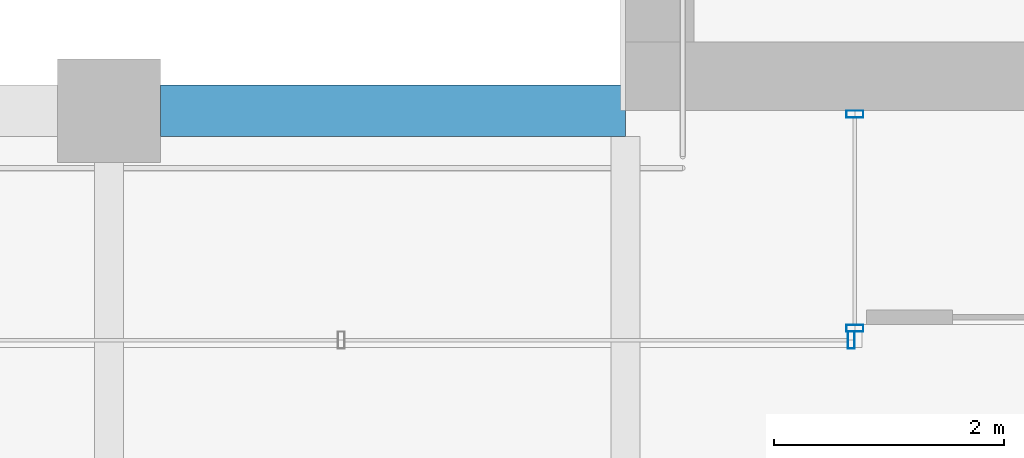
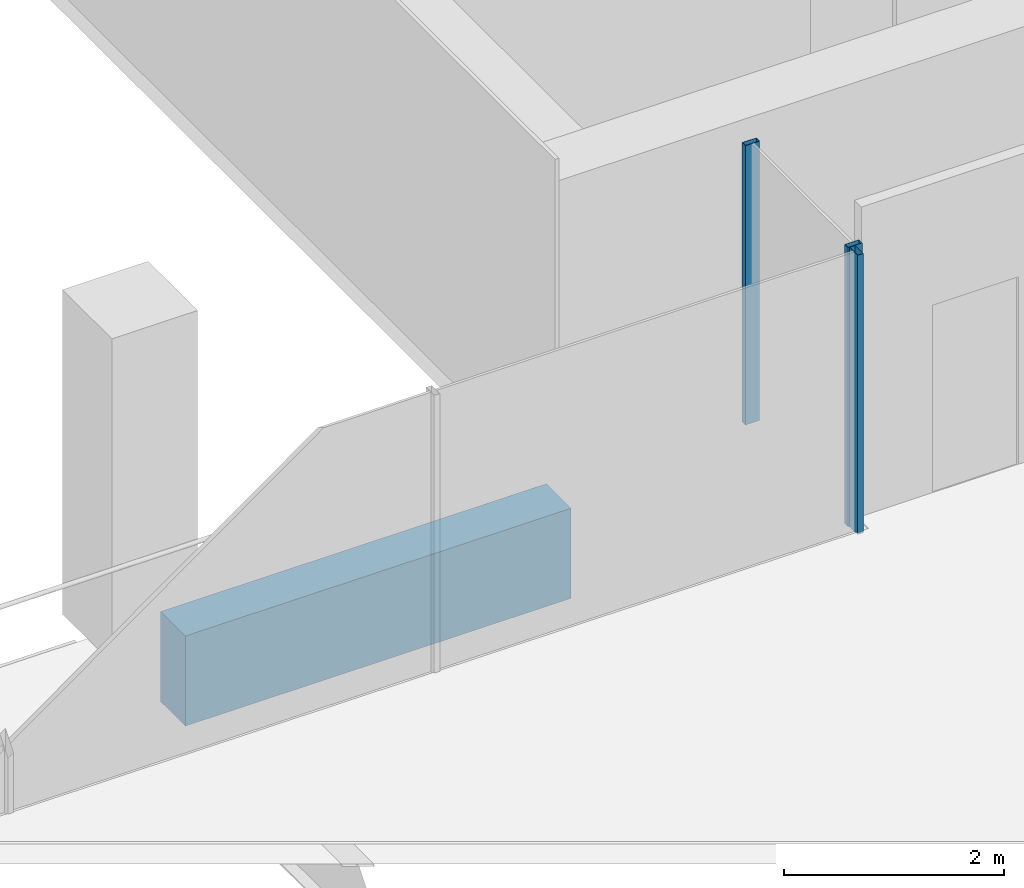
# One storey, part 6 of 40: 3 members, 1 beam, 2 elements without a shape of their own.
"""IFC4 building model written with IfcOpenShell, lengths in metres."""

from ifc_helpers import new_model, si_unit, direction, frame, origin, origin_2d, place, context, subcontext, project, spatial, rectangle, hollow_rectangle, extrude, material, material_profile, profile_set, type_object, element, aggregate, save


model = new_model("IFC4")

# Units and contexts
model_context = context("Model", 3, precision=1e-05, world=origin(), true_north=direction((0.0, 1.0)))
body_context = subcontext(model_context, "Body", "Model", "MODEL_VIEW")
ifc_project = project(units=[si_unit("LENGTHUNIT", "METRE"), si_unit("AREAUNIT", "SQUARE_METRE"), si_unit("VOLUMEUNIT", "CUBIC_METRE"), si_unit("PLANEANGLEUNIT", "RADIAN"), si_unit("MASSUNIT", "GRAM", prefix="KILO")], contexts=[model_context])

# Site, building, storey
site_placement = place(None, origin())
site = spatial("IfcSite", under=ifc_project, at=site_placement, CompositionType="ELEMENT")
building_placement = place(site_placement, origin())
building = spatial("IfcBuilding", under=site, at=building_placement, Name="Altepetl Exchange Towers", CompositionType="ELEMENT")
storey_placement = place(building_placement, frame((0.0, 0.0, 151.0)))
storey = spatial("IfcBuildingStorey", under=building, at=storey_placement, Name="L37", CompositionType="ELEMENT", Elevation=151.0)

# Curtain wall, members
ifc_material_1 = material(Name="Aluminium 6063-T6 glazing", Category="aluminium")
curtain_wall_type = type_object("IfcCurtainWallType", Name="Loggia glazing system", PredefinedType="NOTDEFINED", material=ifc_material_1)
curtain_wall_1_placement = place(storey_placement, origin())
curtain_wall_1 = element("IfcCurtainWall", 1, at=curtain_wall_1_placement, inside=storey, type_object=curtain_wall_type, Name="CW1 run", PredefinedType="NOTDEFINED")
ifc_material_2 = material(Name="Aluminium 6063-T6", Category="aluminium")
ifc_material_profile_1 = material_profile(ifc_material_2, hollow_rectangle(XDim=0.06005859375, YDim=0.14990234375, WallThickness=0.0029296875, at=origin_2d()), Name="Mullion 60x150 aluminium")
ifc_profile_set_1 = profile_set([ifc_material_profile_1], Name="Aluminium 6063-T6")
member_type = type_object("IfcMemberType", Name="Mullion 60x150 aluminium", PredefinedType="MULLION", material=ifc_profile_set_1)
member_1_placement = place(storey_placement, frame((42.5, 40.469970703125, 0.0), z_axis=(0.0, 0.0, 1.0), x_axis=(0.0, -1.0, 0.0)))
member_1 = element("IfcMember", 2, at=member_1_placement, type_object=member_type, Name="MU1 mullion", PredefinedType="MULLION", context=body_context, shape_type="SweptSolid", body=[
    extrude(hollow_rectangle(XDim=0.06005859375, YDim=0.14990234375, WallThickness=0.0029296875, at=origin_2d()), origin(), (0.0, 0.0, 1.0), 3.10009765625),
])
member_2_placement = place(storey_placement, frame((42.5, 38.60498046875, 0.0), z_axis=(0.0, 0.0, 1.0), x_axis=(0.0, -1.0, 0.0)))
member_2 = element("IfcMember", 3, at=member_2_placement, type_object=member_type, Name="MU1 mullion", PredefinedType="MULLION", context=body_context, shape_type="SweptSolid", body=[
    extrude(hollow_rectangle(XDim=0.06005859375, YDim=0.14990234375, WallThickness=0.0029296875, at=origin_2d()), origin(), (0.0, 0.0, 1.0), 3.10009765625),
])
aggregate(curtain_wall_1, [member_1, member_2])

# Curtain wall, member
curtain_wall_2_placement = place(storey_placement, origin())
curtain_wall_2 = element("IfcCurtainWall", 4, at=curtain_wall_2_placement, inside=storey, type_object=curtain_wall_type, Name="CW1 run", PredefinedType="NOTDEFINED")
member_3_placement = place(storey_placement, frame((42.469970703125, 38.5, 0.0), z_axis=(0.0, 0.0, 1.0), x_axis=(-1.0, 0.0, 0.0)))
member_3 = element("IfcMember", 5, at=member_3_placement, type_object=member_type, Name="MU1 mullion", PredefinedType="MULLION", context=body_context, shape_type="SweptSolid", body=[
    extrude(hollow_rectangle(XDim=0.06005859375, YDim=0.14990234375, WallThickness=0.0029296875, at=origin_2d()), origin(), (0.0, 0.0, 1.0), 3.10009765625),
])
aggregate(curtain_wall_2, [member_3])

# Beam
ifc_material_3 = material(Name="Concrete C50/60 precast with tezontle facing", Category="concrete")
ifc_material_profile_2 = material_profile(ifc_material_3, rectangle(XDim=0.449951171875, YDim=1.0, at=origin_2d()), Name="450 x 1000")
ifc_profile_set_2 = profile_set([ifc_material_profile_2], Name="Concrete C50/60 precast with tezontle facing")
beam_type = type_object("IfcBeamType", Name="Spandrel beam 450x1000 tezontle", PredefinedType="SPANDREL", material=ifc_profile_set_2)
beam_placement = place(storey_placement, frame((40.5, 40.5, -0.64990234375), z_axis=(-1.0, 0.0, 0.0), x_axis=(0.0, -1.0, 0.0)))
element("IfcBeam", 6, at=beam_placement, inside=storey, type_object=beam_type, Name="sp:A:L37:033", PredefinedType="SPANDREL", context=body_context, shape_type="SweptSolid", body=[
    extrude(rectangle(XDim=0.449951171875, YDim=1.0, at=origin_2d()), origin(), (0.0, 0.0, 1.0), 4.050048828125),
])

save(model, "model.ifc")
